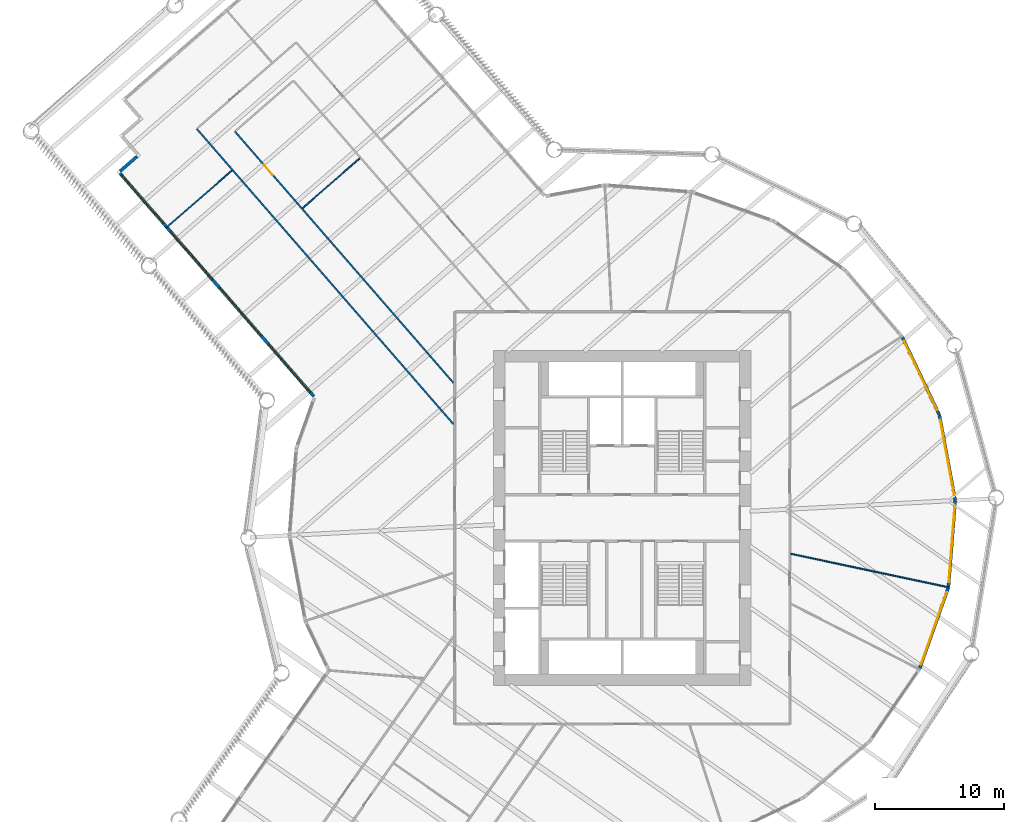
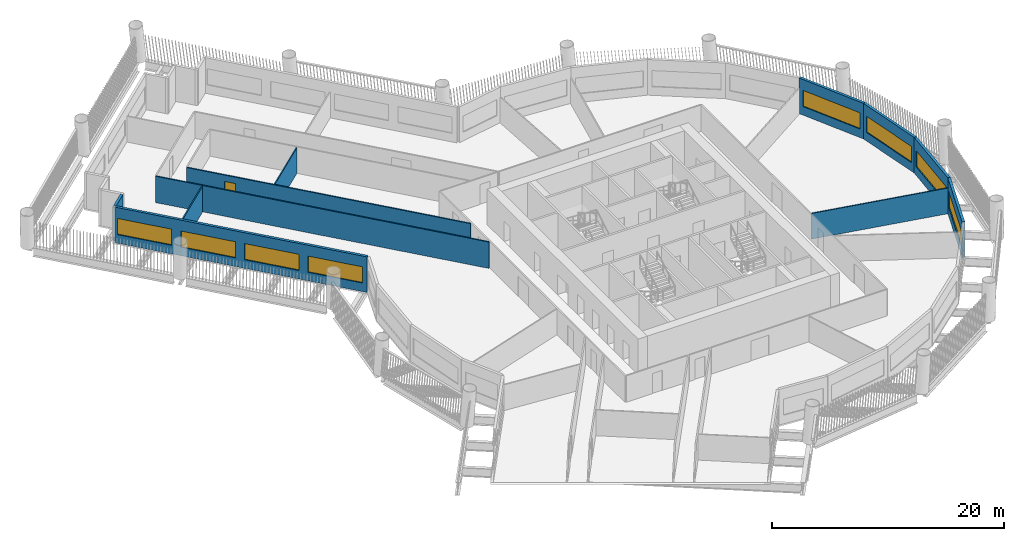
# One storey, part 6 of 15: 11 walls, 8 windows, 1 door, 9 openings.
"""IFC4 building model written with IfcOpenShell, lengths in metres."""

from ifc_helpers import new_model, si_unit, direction, frame, frame_2d, origin, place, context, subcontext, project, spatial, rectangle, extrude, material, layer, layer_set, type_object, element, fill, save


model = new_model("IFC4")

# Units and contexts
model_context = context("Model", 3, precision=1e-05, world=origin(), true_north=direction((0.0, 1.0)))
body_context = subcontext(model_context, "Body", "Model", "MODEL_VIEW")
ifc_project = project(units=[si_unit("LENGTHUNIT", "METRE"), si_unit("AREAUNIT", "SQUARE_METRE"), si_unit("VOLUMEUNIT", "CUBIC_METRE"), si_unit("PLANEANGLEUNIT", "RADIAN"), si_unit("MASSUNIT", "GRAM", prefix="KILO")], contexts=[model_context])

# Site, building, storey
site_placement = place(None, origin())
site = spatial("IfcSite", under=ifc_project, at=site_placement, CompositionType="ELEMENT")
building_placement = place(site_placement, origin())
building = spatial("IfcBuilding", under=site, at=building_placement, Name="Tarsis Ring Headquarters", CompositionType="ELEMENT")
storey_placement = place(building_placement, frame((0.0, 0.0, 51.699951171875)))
storey = spatial("IfcBuildingStorey", under=building, at=storey_placement, Name="L10", CompositionType="ELEMENT", Elevation=51.699951171875)

# Walls
ifc_material_1 = material(Name="Gypsum board on steel studs", Category="steel")
ifc_layer_1 = layer(ifc_material_1, 0.10009765625)
ifc_layer_set_1 = layer_set([ifc_layer_1], Name="FL partition 100 unrated")
wall_type_1 = type_object("IfcWallType", Name="FL partition 100 unrated", PredefinedType="PARTITIONING", material=ifc_layer_set_1)
wall_1_placement = place(storey_placement, frame((13.068603515625, -2.77783203125, 0.0), z_axis=(0.0, 0.0, 1.0), x_axis=(0.978145391621, -0.207922083603, 0.0)))
element("IfcWall", 1, at=wall_1_placement, inside=storey, type_object=wall_type_1, Name="Partition PW3", PredefinedType="PARTITIONING", context=body_context, shape_type="SweptSolid", body=[
    extrude(rectangle(XDim=12.58740234375, YDim=0.10009765625, at=frame_2d((6.293701171875, 0.0))), origin(), (0.0, 0.0, 1.0), 2.699951171875),
])
wall_2_placement = place(storey_placement, frame((-35.39892578125, 22.507080078125, 0.0), z_axis=(0.0, 0.0, 1.0), x_axis=(0.754717309037, 0.656050137901, 0.0)))
element("IfcWall", 2, at=wall_2_placement, inside=storey, type_object=wall_type_1, Name="Partition PW3", PredefinedType="PARTITIONING", context=body_context, shape_type="SweptSolid", body=[
    extrude(rectangle(XDim=6.77001953125, YDim=0.10009765625, at=frame_2d((3.385009765625, 0.0))), origin(), (0.0, 0.0, 1.0), 2.699951171875),
])
wall_3_placement = place(storey_placement, frame((-24.80029296875, 24.04833984375, 0.0), z_axis=(0.0, 0.0, 1.0), x_axis=(0.754692223258, 0.656078995362, 0.0)))
element("IfcWall", 3, at=wall_3_placement, inside=storey, type_object=wall_type_1, Name="Partition PW3", PredefinedType="PARTITIONING", context=body_context, shape_type="SweptSolid", body=[
    extrude(rectangle(XDim=5.8798828125, YDim=0.10009765625, at=frame_2d((2.93994140625, 0.0))), origin(), (0.0, 0.0, 1.0), 2.699951171875),
])
ifc_layer_2 = layer(ifc_material_1, 0.125)
ifc_layer_set_2 = layer_set([ifc_layer_2], Name="FL partition 125 EI 60 H2770")
wall_type_2 = type_object("IfcWallType", Name="FL partition 125 EI 60 H2770", PredefinedType="PARTITIONING", material=ifc_layer_set_2)
wall_4_placement = place(storey_placement, frame((-33.018310546875, 30.1943359375, 0.0), z_axis=(0.0, 0.0, 1.0), x_axis=(0.656058467963, -0.754710067916, 0.0)))
element("IfcWall", 4, at=wall_4_placement, inside=storey, type_object=wall_type_2, Name="Partition PW1", PredefinedType="PARTITIONING", context=body_context, shape_type="SweptSolid", body=[
    extrude(rectangle(XDim=30.363037109375, YDim=0.125, at=frame_2d((15.181640625, 0.0))), origin(), (0.0, 0.0, 1.0), 2.77001953125),
])

# Wall, opening, door
wall_5_placement = place(storey_placement, frame((-30.055908203125, 29.9873046875, 0.0), z_axis=(0.0, 0.0, 1.0), x_axis=(0.65606037977, -0.754708406006, 0.0)))
wall_5 = element("IfcWall", 5, at=wall_5_placement, inside=storey, type_object=wall_type_2, Name="Partition PW1", PredefinedType="PARTITIONING", context=body_context, shape_type="SweptSolid", body=[
    extrude(rectangle(XDim=25.847412109375, YDim=0.125, at=frame_2d((12.923828125, 0.0))), origin(), (0.0, 0.0, 1.0), 2.77001953125),
])
opening_1_placement = place(wall_5_placement, frame((3.4658203125, 0.0, 0.0)))
opening_1 = element("IfcOpeningElement", 6, at=opening_1_placement, cuts=wall_5, Name="Opening D10.16", PredefinedType="OPENING", context=body_context, shape_type="SweptSolid", body=[
    extrude(rectangle(XDim=1.0, YDim=2.10009765625, at=frame_2d((0.5, 1.050048828125))), frame((0.0, 0.072509765625, 0.0), z_axis=(0.0, -1.0, 0.0), x_axis=(1.0, 0.0, 0.0)), (0.0, 0.0, 1.0), 0.14501953125),
])
ifc_material_2 = material(Name="Fire-rated timber door leaf in steel frame", Category="steel")
door_type = type_object("IfcDoorType", Name="FL door FD60-1000", OperationType="NOTDEFINED", PredefinedType="DOOR", material=ifc_material_2)
door_placement = place(opening_1_placement, origin())
door = element("IfcDoor", 7, at=door_placement, inside=storey, type_object=door_type, Name="Door D10.16", OperationType="SINGLE_SWING_RIGHT", OverallHeight=2.10009765625, OverallWidth=1.0, PredefinedType="DOOR", context=body_context, shape_type="SweptSolid", body=[
    extrude(rectangle(XDim=1.0, YDim=2.10009765625, at=frame_2d((0.5, 1.050048828125))), frame((0.0, 0.02490234375, 0.0), z_axis=(0.0, -1.0, 0.0), x_axis=(1.0, 0.0, 0.0)), (0.0, 0.0, 1.0), 0.050048828125),
])
fill(opening_1, door)

# Wall, openings, windows
ifc_material_3 = material(Name="Terracotta clad insulated panel wall", Category="masonry")
ifc_layer_3 = layer(ifc_material_3, 0.25)
ifc_layer_set_3 = layer_set([ifc_layer_3], Name="Facade wall terracotta panel 250")
wall_type_3 = type_object("IfcWallType", Name="Facade wall terracotta panel 250", PredefinedType="STANDARD", material=ifc_layer_set_3)
wall_6_placement = place(storey_placement, frame((-38.976806640625, 26.7373046875, 0.0), z_axis=(0.0, 0.0, 1.0), x_axis=(0.656054242686, -0.754713740867, 0.0)))
wall_6 = element("IfcWall", 8, at=wall_6_placement, inside=storey, type_object=wall_type_3, Name="External wall L10-01", PredefinedType="STANDARD", context=body_context, shape_type="SweptSolid", body=[
    extrude(rectangle(XDim=22.922119140625, YDim=0.25, at=frame_2d((11.4609375, 0.0))), origin(), (0.0, 0.0, 1.0), 3.739990234375),
])
opening_2_placement = place(wall_6_placement, frame((0.17138671875, 0.0, 0.89990234375)))
opening_2 = element("IfcOpeningElement", 9, at=opening_2_placement, cuts=wall_6, Name="Opening WN05", PredefinedType="OPENING", context=body_context, shape_type="SweptSolid", body=[
    extrude(rectangle(XDim=4.949951171875, YDim=1.699951171875, at=frame_2d((2.47509765625, 0.85009765625))), frame((0.0, 0.135009765625, 0.0), z_axis=(0.0, -1.0, 0.0), x_axis=(1.0, 0.0, 0.0)), (0.0, 0.0, 1.0), 0.27001953125),
])
opening_3_placement = place(wall_6_placement, frame((5.964599609375, 0.0, 0.89990234375)))
opening_3 = element("IfcOpeningElement", 10, at=opening_3_placement, cuts=wall_6, Name="Opening WN05", PredefinedType="OPENING", context=body_context, shape_type="SweptSolid", body=[
    extrude(rectangle(XDim=4.949951171875, YDim=1.699951171875, at=frame_2d((2.47509765625, 0.85009765625))), frame((0.0, 0.135009765625, 0.0), z_axis=(0.0, -1.0, 0.0), x_axis=(1.0, 0.0, 0.0)), (0.0, 0.0, 1.0), 0.27001953125),
])
opening_4_placement = place(wall_6_placement, frame((11.757568359375, 0.0, 0.89990234375)))
opening_4 = element("IfcOpeningElement", 11, at=opening_4_placement, cuts=wall_6, Name="Opening WN05", PredefinedType="OPENING", context=body_context, shape_type="SweptSolid", body=[
    extrude(rectangle(XDim=4.949951171875, YDim=1.699951171875, at=frame_2d((2.47509765625, 0.85009765625))), frame((0.0, 0.135009765625, 0.0), z_axis=(0.0, -1.0, 0.0), x_axis=(1.0, 0.0, 0.0)), (0.0, 0.0, 1.0), 0.27001953125),
])
opening_5_placement = place(wall_6_placement, frame((17.550537109375, 0.0, 0.89990234375)))
opening_5 = element("IfcOpeningElement", 12, at=opening_5_placement, cuts=wall_6, Name="Opening WN05", PredefinedType="OPENING", context=body_context, shape_type="SweptSolid", body=[
    extrude(rectangle(XDim=4.949951171875, YDim=1.699951171875, at=frame_2d((2.47509765625, 0.85009765625))), frame((0.0, 0.135009765625, 0.0), z_axis=(0.0, -1.0, 0.0), x_axis=(1.0, 0.0, 0.0)), (0.0, 0.0, 1.0), 0.27001953125),
])
ifc_material_4 = material(Name="Aluminium framed double glazing", Category="aluminium")
window_type_1 = type_object("IfcWindowType", Name="Facade window 4950 x 1700", PartitioningType="SINGLE_PANEL", PredefinedType="WINDOW", material=ifc_material_4)
window_1_placement = place(opening_2_placement, origin())
window_1 = element("IfcWindow", 13, at=window_1_placement, inside=storey, type_object=window_type_1, Name="Window L10-01.1", OverallHeight=1.699951171875, OverallWidth=4.949951171875, PartitioningType="SINGLE_PANEL", PredefinedType="WINDOW", context=body_context, shape_type="SweptSolid", body=[
    extrude(rectangle(XDim=4.949951171875, YDim=1.699951171875, at=frame_2d((2.47509765625, 0.85009765625))), frame((0.0, 0.030029296875, 0.0), z_axis=(0.0, -1.0, 0.0), x_axis=(1.0, 0.0, 0.0)), (0.0, 0.0, 1.0), 0.06005859375),
])
fill(opening_2, window_1)
window_2_placement = place(opening_3_placement, origin())
window_2 = element("IfcWindow", 14, at=window_2_placement, inside=storey, type_object=window_type_1, Name="Window L10-01.2", OverallHeight=1.699951171875, OverallWidth=4.949951171875, PartitioningType="SINGLE_PANEL", PredefinedType="WINDOW", context=body_context, shape_type="SweptSolid", body=[
    extrude(rectangle(XDim=4.949951171875, YDim=1.699951171875, at=frame_2d((2.47509765625, 0.85009765625))), frame((0.0, 0.030029296875, 0.0), z_axis=(0.0, -1.0, 0.0), x_axis=(1.0, 0.0, 0.0)), (0.0, 0.0, 1.0), 0.06005859375),
])
fill(opening_3, window_2)
window_3_placement = place(opening_4_placement, origin())
window_3 = element("IfcWindow", 15, at=window_3_placement, inside=storey, type_object=window_type_1, Name="Window L10-01.3", OverallHeight=1.699951171875, OverallWidth=4.949951171875, PartitioningType="SINGLE_PANEL", PredefinedType="WINDOW", context=body_context, shape_type="SweptSolid", body=[
    extrude(rectangle(XDim=4.949951171875, YDim=1.699951171875, at=frame_2d((2.47509765625, 0.85009765625))), frame((0.0, 0.030029296875, 0.0), z_axis=(0.0, -1.0, 0.0), x_axis=(1.0, 0.0, 0.0)), (0.0, 0.0, 1.0), 0.06005859375),
])
fill(opening_4, window_3)
window_4_placement = place(opening_5_placement, origin())
window_4 = element("IfcWindow", 16, at=window_4_placement, inside=storey, type_object=window_type_1, Name="Window L10-01.4", OverallHeight=1.699951171875, OverallWidth=4.949951171875, PartitioningType="SINGLE_PANEL", PredefinedType="WINDOW", context=body_context, shape_type="SweptSolid", body=[
    extrude(rectangle(XDim=4.949951171875, YDim=1.699951171875, at=frame_2d((2.47509765625, 0.85009765625))), frame((0.0, 0.030029296875, 0.0), z_axis=(0.0, -1.0, 0.0), x_axis=(1.0, 0.0, 0.0)), (0.0, 0.0, 1.0), 0.06005859375),
])
fill(opening_5, window_4)

# Wall, opening, window
wall_7_placement = place(storey_placement, frame((23.059326171875, -11.73095703125, 0.0), z_axis=(0.0, 0.0, 1.0), x_axis=(0.333804109567, 0.942642464796, 0.0)))
wall_7 = element("IfcWall", 17, at=wall_7_placement, inside=storey, type_object=wall_type_3, Name="External wall L10-22", PredefinedType="STANDARD", context=body_context, shape_type="SweptSolid", body=[
    extrude(rectangle(XDim=6.721435546875, YDim=0.25, at=frame_2d((3.36083984375, 0.0))), origin(), (0.0, 0.0, 1.0), 3.739990234375),
])
opening_6_placement = place(wall_7_placement, frame((0.3857421875, 0.0, 0.89990234375)))
opening_6 = element("IfcOpeningElement", 18, at=opening_6_placement, cuts=wall_7, Name="Opening WN07", PredefinedType="OPENING", context=body_context, shape_type="SweptSolid", body=[
    extrude(rectangle(XDim=5.949951171875, YDim=1.699951171875, at=frame_2d((2.97509765625, 0.85009765625))), frame((0.0, 0.135009765625, 0.0), z_axis=(0.0, -1.0, 0.0), x_axis=(1.0, 0.0, 0.0)), (0.0, 0.0, 1.0), 0.27001953125),
])
window_type_2 = type_object("IfcWindowType", Name="Facade window 5950 x 1700", PartitioningType="SINGLE_PANEL", PredefinedType="WINDOW", material=ifc_material_4)
window_5_placement = place(opening_6_placement, origin())
window_5 = element("IfcWindow", 19, at=window_5_placement, inside=storey, type_object=window_type_2, Name="Window L10-22.1", OverallHeight=1.699951171875, OverallWidth=5.949951171875, PartitioningType="SINGLE_PANEL", PredefinedType="WINDOW", context=body_context, shape_type="SweptSolid", body=[
    extrude(rectangle(XDim=5.949951171875, YDim=1.699951171875, at=frame_2d((2.97509765625, 0.85009765625))), frame((0.0, 0.030029296875, 0.0), z_axis=(0.0, -1.0, 0.0), x_axis=(1.0, 0.0, 0.0)), (0.0, 0.0, 1.0), 0.06005859375),
])
fill(opening_6, window_5)

wall_8_placement = place(storey_placement, frame((25.309814453125, -5.363037109375, 0.0), z_axis=(0.0, 0.0, 1.0), x_axis=(0.078457397419, 0.996917467391, 0.0)))
wall_8 = element("IfcWall", 20, at=wall_8_placement, inside=storey, type_object=wall_type_3, Name="External wall L10-23", PredefinedType="STANDARD", context=body_context, shape_type="SweptSolid", body=[
    extrude(rectangle(XDim=6.721435546875, YDim=0.25, at=frame_2d((3.36083984375, 0.0))), origin(), (0.0, 0.0, 1.0), 3.739990234375),
])
opening_7_placement = place(wall_8_placement, frame((0.3857421875, 0.0, 0.89990234375)))
opening_7 = element("IfcOpeningElement", 21, at=opening_7_placement, cuts=wall_8, Name="Opening WN07", PredefinedType="OPENING", context=body_context, shape_type="SweptSolid", body=[
    extrude(rectangle(XDim=5.949951171875, YDim=1.699951171875, at=frame_2d((2.97509765625, 0.85009765625))), frame((0.0, 0.135009765625, 0.0), z_axis=(0.0, -1.0, 0.0), x_axis=(1.0, 0.0, 0.0)), (0.0, 0.0, 1.0), 0.27001953125),
])
window_6_placement = place(opening_7_placement, origin())
window_6 = element("IfcWindow", 22, at=window_6_placement, inside=storey, type_object=window_type_2, Name="Window L10-23.1", OverallHeight=1.699951171875, OverallWidth=5.949951171875, PartitioningType="SINGLE_PANEL", PredefinedType="WINDOW", context=body_context, shape_type="SweptSolid", body=[
    extrude(rectangle(XDim=5.949951171875, YDim=1.699951171875, at=frame_2d((2.97509765625, 0.85009765625))), frame((0.0, 0.030029296875, 0.0), z_axis=(0.0, -1.0, 0.0), x_axis=(1.0, 0.0, 0.0)), (0.0, 0.0, 1.0), 0.06005859375),
])
fill(opening_7, window_6)

wall_9_placement = place(storey_placement, frame((25.83544921875, 1.370361328125, 0.0), z_axis=(0.0, 0.0, 1.0), x_axis=(-0.182231032472, 0.983255740285, 0.0)))
wall_9 = element("IfcWall", 23, at=wall_9_placement, inside=storey, type_object=wall_type_3, Name="External wall L10-24", PredefinedType="STANDARD", context=body_context, shape_type="SweptSolid", body=[
    extrude(rectangle(XDim=6.721435546875, YDim=0.25, at=frame_2d((3.36083984375, 0.0))), origin(), (0.0, 0.0, 1.0), 3.739990234375),
])
opening_8_placement = place(wall_9_placement, frame((0.3857421875, 0.0, 0.89990234375)))
opening_8 = element("IfcOpeningElement", 24, at=opening_8_placement, cuts=wall_9, Name="Opening WN07", PredefinedType="OPENING", context=body_context, shape_type="SweptSolid", body=[
    extrude(rectangle(XDim=5.949951171875, YDim=1.699951171875, at=frame_2d((2.97509765625, 0.85009765625))), frame((0.0, 0.135009765625, 0.0), z_axis=(0.0, -1.0, 0.0), x_axis=(1.0, 0.0, 0.0)), (0.0, 0.0, 1.0), 0.27001953125),
])
window_7_placement = place(opening_8_placement, origin())
window_7 = element("IfcWindow", 25, at=window_7_placement, inside=storey, type_object=window_type_2, Name="Window L10-24.1", OverallHeight=1.699951171875, OverallWidth=5.949951171875, PartitioningType="SINGLE_PANEL", PredefinedType="WINDOW", context=body_context, shape_type="SweptSolid", body=[
    extrude(rectangle(XDim=5.949951171875, YDim=1.699951171875, at=frame_2d((2.97509765625, 0.85009765625))), frame((0.0, 0.030029296875, 0.0), z_axis=(0.0, -1.0, 0.0), x_axis=(1.0, 0.0, 0.0)), (0.0, 0.0, 1.0), 0.06005859375),
])
fill(opening_8, window_7)

wall_10_placement = place(storey_placement, frame((24.6005859375, 8.01025390625, 0.0), z_axis=(0.0, 0.0, 1.0), x_axis=(-0.430515772308, 0.902583054236, 0.0)))
wall_10 = element("IfcWall", 26, at=wall_10_placement, inside=storey, type_object=wall_type_3, Name="External wall L10-25", PredefinedType="STANDARD", context=body_context, shape_type="SweptSolid", body=[
    extrude(rectangle(XDim=6.7216796875, YDim=0.25, at=frame_2d((3.36083984375, 0.0))), origin(), (0.0, 0.0, 1.0), 3.739990234375),
])
opening_9_placement = place(wall_10_placement, frame((0.3857421875, 0.0, 0.89990234375)))
opening_9 = element("IfcOpeningElement", 27, at=opening_9_placement, cuts=wall_10, Name="Opening WN07", PredefinedType="OPENING", context=body_context, shape_type="SweptSolid", body=[
    extrude(rectangle(XDim=5.949951171875, YDim=1.699951171875, at=frame_2d((2.97509765625, 0.85009765625))), frame((0.0, 0.135009765625, 0.0), z_axis=(0.0, -1.0, 0.0), x_axis=(1.0, 0.0, 0.0)), (0.0, 0.0, 1.0), 0.27001953125),
])
window_8_placement = place(opening_9_placement, origin())
window_8 = element("IfcWindow", 28, at=window_8_placement, inside=storey, type_object=window_type_2, Name="Window L10-25.1", OverallHeight=1.699951171875, OverallWidth=5.949951171875, PartitioningType="SINGLE_PANEL", PredefinedType="WINDOW", context=body_context, shape_type="SweptSolid", body=[
    extrude(rectangle(XDim=5.949951171875, YDim=1.699951171875, at=frame_2d((2.97509765625, 0.85009765625))), frame((0.0, 0.030029296875, 0.0), z_axis=(0.0, -1.0, 0.0), x_axis=(1.0, 0.0, 0.0)), (0.0, 0.0, 1.0), 0.06005859375),
])
fill(opening_9, window_8)

# Wall
wall_11_placement = place(storey_placement, frame((-37.643798828125, 28.061767578125, 0.0), z_axis=(0.0, 0.0, 1.0), x_axis=(-0.754698615122, -0.656071642683, 0.0)))
element("IfcWall", 29, at=wall_11_placement, inside=storey, type_object=wall_type_3, Name="External wall L10-40", PredefinedType="STANDARD", context=body_context, shape_type="SweptSolid", body=[
    extrude(rectangle(XDim=1.75, YDim=0.25, at=frame_2d((0.875, 0.0))), origin(), (0.0, 0.0, 1.0), 3.739990234375),
])

save(model, "model.ifc")
